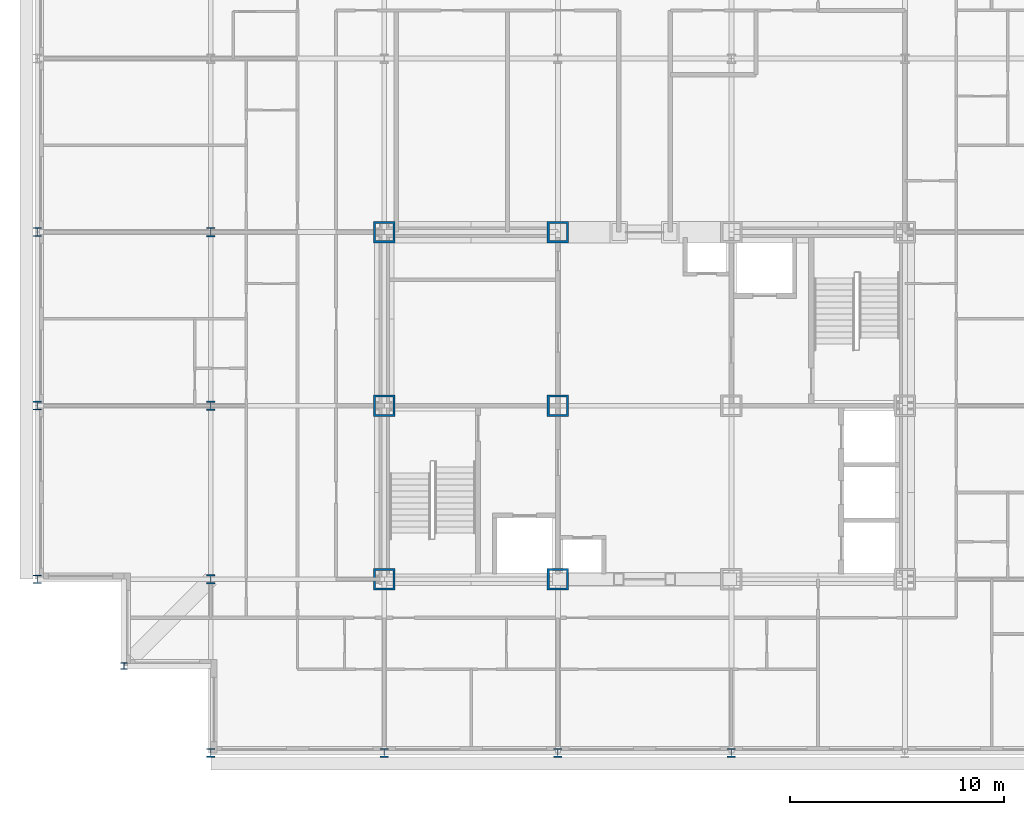
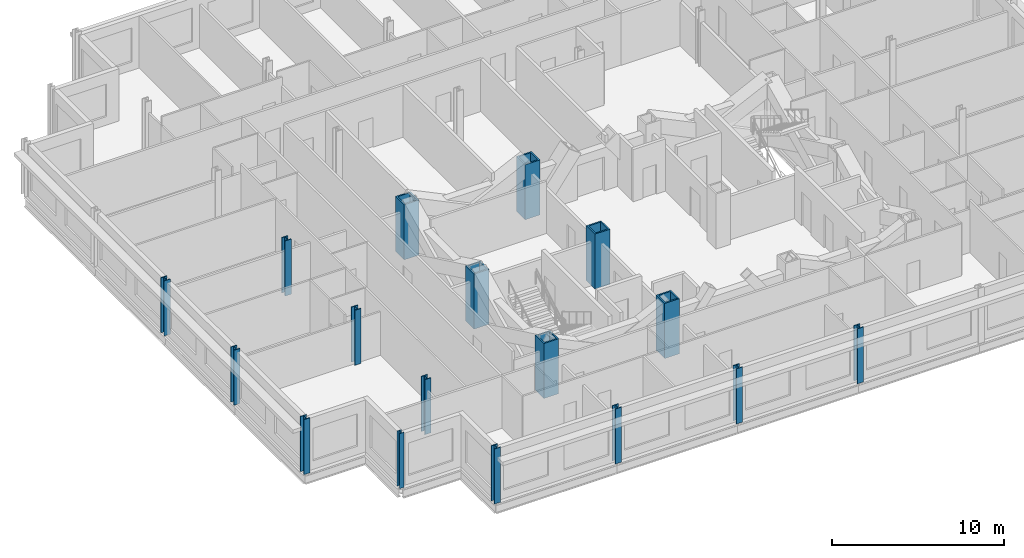
# One storey, part 1 of 15: 17 columns.
"""IFC4 building model written with IfcOpenShell, lengths in metres."""

from ifc_helpers import new_model, si_unit, direction, frame, origin, origin_2d, place, context, subcontext, project, spatial, hollow_rectangle, i_section, extrude, material, material_profile, profile_set, type_object, element, save


model = new_model("IFC4")

# Units and contexts
model_context = context("Model", 3, precision=1e-05, world=origin(), true_north=direction((0.0, 1.0)))
body_context = subcontext(model_context, "Body", "Model", "MODEL_VIEW")
ifc_project = project(units=[si_unit("LENGTHUNIT", "METRE"), si_unit("AREAUNIT", "SQUARE_METRE"), si_unit("VOLUMEUNIT", "CUBIC_METRE"), si_unit("PLANEANGLEUNIT", "RADIAN"), si_unit("MASSUNIT", "GRAM", prefix="KILO")], contexts=[model_context])

# Site, building, storey
site_placement = place(None, origin())
site = spatial("IfcSite", under=ifc_project, at=site_placement, CompositionType="ELEMENT")
building_placement = place(site_placement, origin())
building = spatial("IfcBuilding", under=site, at=building_placement, Name="Kopane Lantern Tower", CompositionType="ELEMENT")
storey_placement = place(building_placement, frame((0.0, 0.0, 273.60009765625)))
storey = spatial("IfcBuildingStorey", under=building, at=storey_placement, Name="L70", CompositionType="ELEMENT", Elevation=273.60009765625)

# Columns
ifc_material_1 = material(Name="Steel S355JR", Category="steel")
ifc_material_profile_1 = material_profile(ifc_material_1, hollow_rectangle(XDim=1.0, YDim=1.0, WallThickness=0.10009765625, at=origin_2d()), Name="BOX 1000x1000x100")
ifc_profile_set_1 = profile_set([ifc_material_profile_1], Name="Steel S355JR")
column_type_1 = type_object("IfcColumnType", Name="COLUMN BOX 1000x1000x100", PredefinedType="COLUMN", material=ifc_profile_set_1)
for number, where, z_axis, x_axis, name in (
    (1, (16.199951171875, 24.300048828125, 0.0), (0.0, 0.0, 1.0), (1.0, 0.0, 0.0), "Column 4/E L70"),
    (2, (16.199951171875, 32.39990234375, 0.0), (0.0, 0.0, 1.0), (1.0, 0.0, 0.0), "Column 4/F L70"),
    (3, (16.199951171875, 40.5, 0.0), (0.0, 0.0, 1.0), (1.0, 0.0, 0.0), "Column 4/G L70"),
    (4, (24.300048828125, 24.300048828125, 0.0), (0.0, 0.0, 1.0), (1.0, 0.0, 0.0), "Column 5/E L70"),
    (5, (24.300048828125, 32.39990234375, 0.0), (0.0, 0.0, 1.0), (1.0, 0.0, 0.0), "Column 5/F L70"),
    (6, (24.300048828125, 40.5, 0.0), (0.0, 0.0, 1.0), (1.0, 0.0, 0.0), "Column 5/G L70"),
):
    element("IfcColumn", number, at=place(storey_placement, frame(where, z_axis=z_axis, x_axis=x_axis)), inside=storey, type_object=column_type_1, Name=name, PredefinedType="COLUMN", context=body_context, shape_type="SweptSolid", body=[
        extrude(hollow_rectangle(XDim=1.0, YDim=1.0, WallThickness=0.10009765625, at=origin_2d()), origin(), (0.0, 0.0, 1.0), 3.89990234375),
    ])
ifc_material_2 = material(Name="Steel S355JR", Category="steel")
ifc_material_profile_2 = material_profile(ifc_material_2, i_section(OverallWidth=0.307373046875, OverallDepth=0.314453125, WebThickness=0.011962890625, FlangeThickness=0.018798828125, FilletRadius=0.01513671875, at=origin_2d()), Name="UC 305x305x118")
ifc_profile_set_2 = profile_set([ifc_material_profile_2], Name="Steel S355JR")
column_type_2 = type_object("IfcColumnType", Name="COLUMN UC 305x305x118", PredefinedType="COLUMN", material=ifc_profile_set_2)
column_placement = place(storey_placement, frame((4.050048828125, 20.25, 0.0), z_axis=(0.0, 0.0, 1.0), x_axis=(1.0, 0.0, 0.0)))
element("IfcColumn", 7, at=column_placement, inside=storey, type_object=column_type_2, Name="Column 4.05/20.25 L70", PredefinedType="COLUMN", context=body_context, shape_type="SweptSolid", body=[
    extrude(i_section(OverallWidth=0.307373046875, OverallDepth=0.314453125, WebThickness=0.011962890625, FlangeThickness=0.018798828125, FilletRadius=0.01513671875, at=origin_2d()), origin(), (0.0, 0.0, 1.0), 3.89990234375),
])
ifc_material_3 = material(Name="Steel S355JR", Category="steel")
ifc_material_profile_3 = material_profile(ifc_material_3, i_section(OverallWidth=0.406982421875, OverallDepth=0.4189453125, WebThickness=0.030517578125, FlangeThickness=0.04931640625, FilletRadius=0.01513671875, at=origin_2d()), Name="UC 356x406x393")
ifc_profile_set_3 = profile_set([ifc_material_profile_3], Name="Steel S355JR")
column_type_3 = type_object("IfcColumnType", Name="COLUMN UC 356x406x393", PredefinedType="COLUMN", material=ifc_profile_set_3)
for number, where, z_axis, x_axis, name in (
    (8, (0.0, 24.300048828125, 0.0), (0.0, 0.0, 1.0), (1.0, 0.0, 0.0), "Column 2/E L70"),
    (9, (0.0, 32.39990234375, 0.0), (0.0, 0.0, 1.0), (1.0, 0.0, 0.0), "Column 2/F L70"),
    (10, (0.0, 40.5, 0.0), (0.0, 0.0, 1.0), (1.0, 0.0, 0.0), "Column 2/G L70"),
    (11, (8.10009765625, 16.199951171875, 0.0), (0.0, 0.0, 1.0), (1.0, 0.0, 0.0), "Column 3/D L70"),
    (12, (16.199951171875, 16.199951171875, 0.0), (0.0, 0.0, 1.0), (1.0, 0.0, 0.0), "Column 4/D L70"),
    (13, (24.300048828125, 16.199951171875, 0.0), (0.0, 0.0, 1.0), (1.0, 0.0, 0.0), "Column 5/D L70"),
    (14, (32.39990234375, 16.199951171875, 0.0), (0.0, 0.0, 1.0), (1.0, 0.0, 0.0), "Column 6/D L70"),
):
    element("IfcColumn", number, at=place(storey_placement, frame(where, z_axis=z_axis, x_axis=x_axis)), inside=storey, type_object=column_type_3, Name=name, PredefinedType="COLUMN", context=body_context, shape_type="SweptSolid", body=[
        extrude(i_section(OverallWidth=0.406982421875, OverallDepth=0.4189453125, WebThickness=0.030517578125, FlangeThickness=0.04931640625, FilletRadius=0.01513671875, at=origin_2d()), origin(), (0.0, 0.0, 1.0), 3.89990234375),
    ])
ifc_material_4 = material(Name="Steel S355JR", Category="steel")
ifc_material_profile_4 = material_profile(ifc_material_4, i_section(OverallWidth=0.412109375, OverallDepth=0.4365234375, WebThickness=0.035888671875, FlangeThickness=0.05810546875, FilletRadius=0.01513671875, at=origin_2d()), Name="UC 356x406x467")
ifc_profile_set_4 = profile_set([ifc_material_profile_4], Name="Steel S355JR")
column_type_4 = type_object("IfcColumnType", Name="COLUMN UC 356x406x467", PredefinedType="COLUMN", material=ifc_profile_set_4)
for number, where, z_axis, x_axis, name in (
    (15, (8.10009765625, 24.300048828125, 0.0), (0.0, 0.0, 1.0), (1.0, 0.0, 0.0), "Column 3/E L70"),
    (16, (8.10009765625, 32.39990234375, 0.0), (0.0, 0.0, 1.0), (1.0, 0.0, 0.0), "Column 3/F L70"),
    (17, (8.10009765625, 40.5, 0.0), (0.0, 0.0, 1.0), (1.0, 0.0, 0.0), "Column 3/G L70"),
):
    element("IfcColumn", number, at=place(storey_placement, frame(where, z_axis=z_axis, x_axis=x_axis)), inside=storey, type_object=column_type_4, Name=name, PredefinedType="COLUMN", context=body_context, shape_type="SweptSolid", body=[
        extrude(i_section(OverallWidth=0.412109375, OverallDepth=0.4365234375, WebThickness=0.035888671875, FlangeThickness=0.05810546875, FilletRadius=0.01513671875, at=origin_2d()), origin(), (0.0, 0.0, 1.0), 3.89990234375),
    ])

save(model, "model.ifc")
